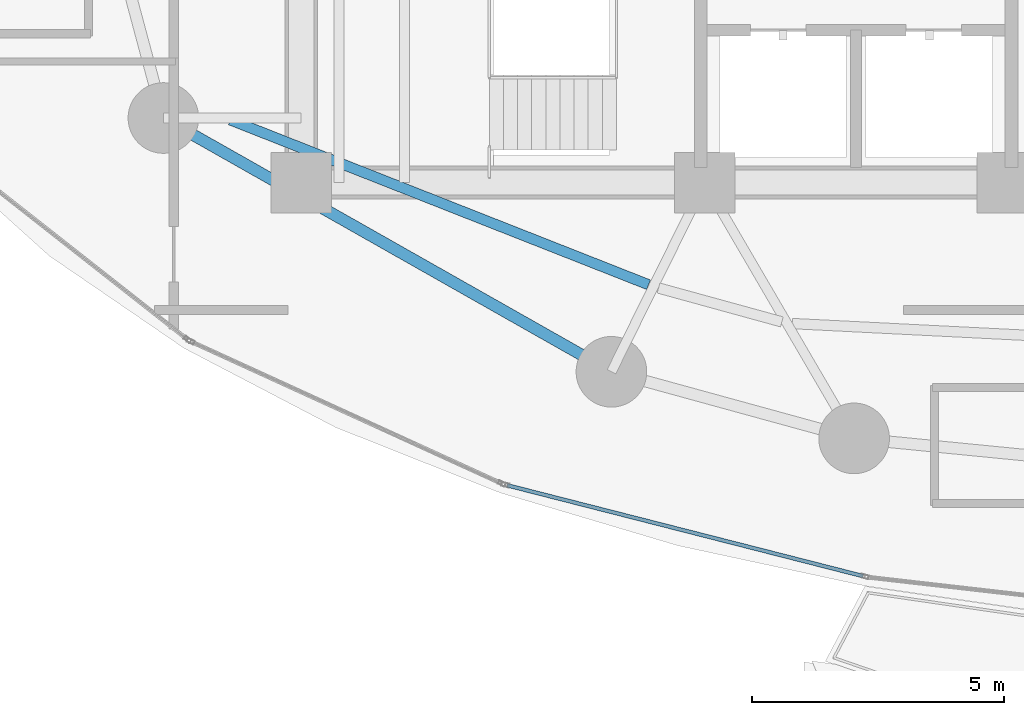
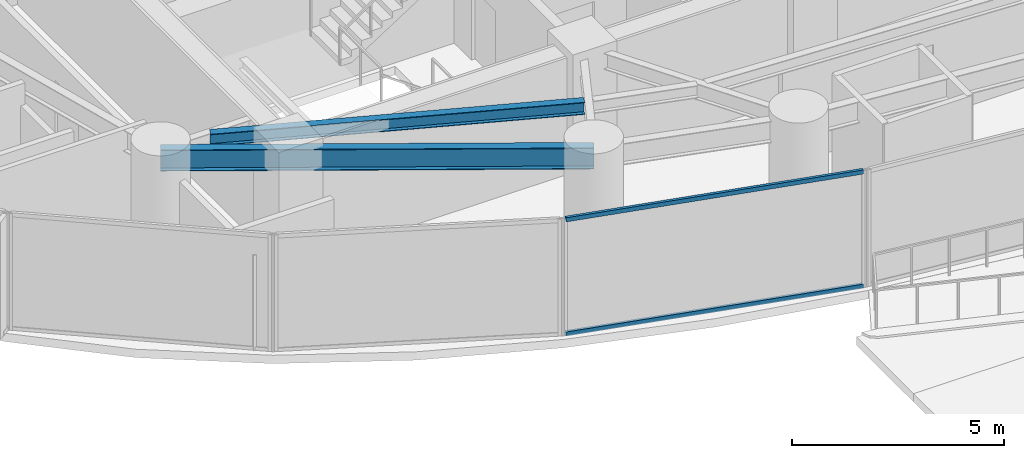
# One storey, part 3 of 32: 2 beams, 2 members, 1 element without a shape of its own.
"""IFC4 building model written with IfcOpenShell, lengths in metres."""

from ifc_helpers import new_model, si_unit, direction, frame, origin, origin_2d, place, context, subcontext, project, spatial, hollow_rectangle, i_section, extrude, material, layer, layer_set, material_profile, profile_set, type_object, element, aggregate, save


model = new_model("IFC4")

# Units and contexts
model_context = context("Model", 3, precision=1e-05, world=origin(), true_north=direction((0.0, 1.0)))
body_context = subcontext(model_context, "Body", "Model", "MODEL_VIEW")
ifc_project = project(units=[si_unit("LENGTHUNIT", "METRE"), si_unit("AREAUNIT", "SQUARE_METRE"), si_unit("VOLUMEUNIT", "CUBIC_METRE"), si_unit("PLANEANGLEUNIT", "RADIAN"), si_unit("MASSUNIT", "GRAM", prefix="KILO")], contexts=[model_context])

# Site, building, storey
site_placement = place(None, origin())
site = spatial("IfcSite", under=ifc_project, at=site_placement, CompositionType="ELEMENT")
building_placement = place(site_placement, origin())
building = spatial("IfcBuilding", under=site, at=building_placement, Name="Kazevale Care Tower and Concert Hall", CompositionType="ELEMENT")
storey_placement = place(building_placement, frame((0.0, 0.0, 24.0)))
storey = spatial("IfcBuildingStorey", under=building, at=storey_placement, Name="L05", CompositionType="ELEMENT", Elevation=24.0)

# Curtain wall, members
ifc_material_1 = material(Name="Aluminium 6063-T6 and Low-E Glass", Category="aluminium")
ifc_layer = layer(ifc_material_1, 0.179931640625)
ifc_layer_set = layer_set([ifc_layer], Name="Aluminium 6063-T6 and Low-E Glass")
curtain_wall_type = type_object("IfcCurtainWallType", Name="Sheltered Concave Balcony Curtain Wall CW-5", PredefinedType="NOTDEFINED", material=ifc_layer_set)
curtain_wall_placement = place(storey_placement, origin())
curtain_wall = element("IfcCurtainWall", 1, at=curtain_wall_placement, inside=storey, type_object=curtain_wall_type, Name="cw:L05:f08", PredefinedType="NOTDEFINED")
ifc_material_2 = material(Name="Aluminium 6063-T6", Category="aluminium")
ifc_material_profile_1 = material_profile(ifc_material_2, hollow_rectangle(XDim=0.074951171875, YDim=0.1201171875, WallThickness=0.00390625, at=origin_2d()), Name="ALU75x120x4")
ifc_profile_set_1 = profile_set([ifc_material_profile_1], Name="Aluminium 6063-T6")
member_type = type_object("IfcMemberType", Name="CW-5 Transom ALU75x120x4", PredefinedType="USERDEFINED", material=ifc_profile_set_1)
member_1_placement = place(storey_placement, frame((33.13525390625, 15.800537109375, 0.03759765625), z_axis=(-0.968960816419, 0.24721435283, 0.0), x_axis=(-0.24721435283, -0.968960816419, 0.0)))
member_1 = element("IfcMember", 2, at=member_1_placement, type_object=member_type, Name="CW-5 transom 1.1", ObjectType="TRANSOM", PredefinedType="USERDEFINED", context=body_context, shape_type="SweptSolid", body=[
    extrude(hollow_rectangle(XDim=0.074951171875, YDim=0.1201171875, WallThickness=0.00390625, at=origin_2d()), origin(), (0.0, 0.0, 1.0), 7.2763671875),
])
member_2_placement = place(storey_placement, frame((33.13525390625, 15.800537109375, 3.322509765625), z_axis=(-0.968960816419, 0.24721435283, 0.0), x_axis=(-0.24721435283, -0.968960816419, 0.0)))
member_2 = element("IfcMember", 3, at=member_2_placement, type_object=member_type, Name="CW-5 transom 1.2", ObjectType="TRANSOM", PredefinedType="USERDEFINED", context=body_context, shape_type="SweptSolid", body=[
    extrude(hollow_rectangle(XDim=0.074951171875, YDim=0.1201171875, WallThickness=0.00390625, at=origin_2d()), origin(), (0.0, 0.0, 1.0), 7.2763671875),
])
aggregate(curtain_wall, [member_1, member_2])

# Beams
ifc_material_3 = material(Name="Steel ASTM A572 Gr 50", Category="steel")
ifc_material_profile_2 = material_profile(ifc_material_3, i_section(OverallWidth=0.22900390625, OverallDepth=0.612060546875, WebThickness=0.011962890625, FlangeThickness=0.01953125, at=origin_2d()), Name="W610x125")
ifc_profile_set_2 = profile_set([ifc_material_profile_2], Name="Steel ASTM A572 Gr 50")
beam_type_1 = type_object("IfcBeamType", Name="Ring Spandrel Beam W610x125", PredefinedType="SPANDREL", material=ifc_profile_set_2)
beam_1_placement = place(storey_placement, frame((19.27001953125, 24.8798828125, 3.053955078125), z_axis=(0.870112469479, -0.492853213906, 0.0), x_axis=(0.492853213906, 0.870112469479, 0.0)))
element("IfcBeam", 4, at=beam_1_placement, inside=storey, type_object=beam_type_1, Name="beam:L05:ring:10", PredefinedType="SPANDREL", context=body_context, shape_type="SweptSolid", body=[
    extrude(i_section(OverallWidth=0.22900390625, OverallDepth=0.612060546875, WebThickness=0.011962890625, FlangeThickness=0.01953125, at=origin_2d()), origin(), (0.0, 0.0, 1.0), 10.205322265625),
])
ifc_material_profile_3 = material_profile(ifc_material_3, i_section(OverallWidth=0.205078125, OverallDepth=0.35400390625, WebThickness=0.009521484375, FlangeThickness=0.016845703125, at=origin_2d()), Name="W360x79")
ifc_profile_set_3 = profile_set([ifc_material_profile_3], Name="Steel ASTM A572 Gr 50")
beam_type_2 = type_object("IfcBeamType", Name="Secondary Floor Joist W360x79", PredefinedType="JOIST", material=ifc_profile_set_3)
beam_2_placement = place(storey_placement, frame((20.595947265625, 24.842041015625, 3.18310546875), z_axis=(0.930380638802, -0.366594963062, 0.0), x_axis=(0.366594963062, 0.930380638802, 0.0)))
element("IfcBeam", 5, at=beam_2_placement, inside=storey, type_object=beam_type_2, Name="beam:L05:joist:10", PredefinedType="JOIST", context=body_context, shape_type="SweptSolid", body=[
    extrude(i_section(OverallWidth=0.205078125, OverallDepth=0.35400390625, WebThickness=0.009521484375, FlangeThickness=0.016845703125, at=origin_2d()), origin(), (0.0, 0.0, 1.0), 8.909423828125),
])

save(model, "model.ifc")
